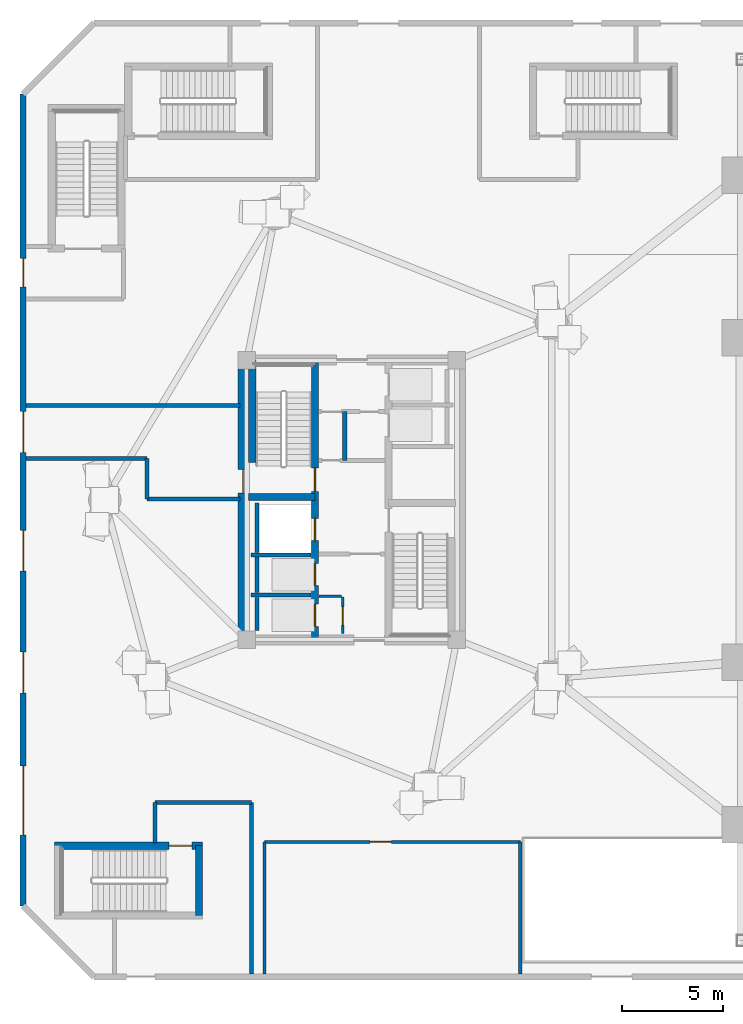
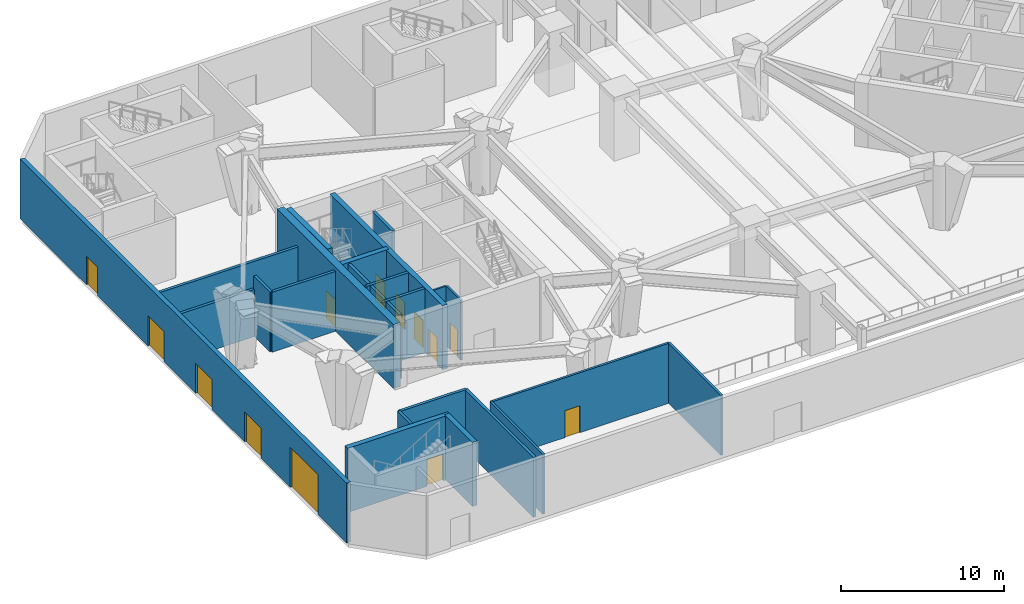
# One storey, part 5 of 17: 25 walls, 13 doors, 13 openings.
"""IFC4 building model written with IfcOpenShell, lengths in metres."""

from ifc_helpers import new_model, si_unit, direction, frame, frame_2d, origin, place, context, subcontext, project, spatial, rectangle, extrude, source, transform, mapped, material, layer, layer_set, type_object, element, fill, save


model = new_model("IFC4")

# Units and contexts
model_context = context("Model", 3, precision=1e-05, world=origin(), true_north=direction((0.0, 1.0)))
body_context = subcontext(model_context, "Body", "Model", "MODEL_VIEW")
ifc_project = project(units=[si_unit("LENGTHUNIT", "METRE"), si_unit("AREAUNIT", "SQUARE_METRE"), si_unit("VOLUMEUNIT", "CUBIC_METRE"), si_unit("PLANEANGLEUNIT", "RADIAN"), si_unit("MASSUNIT", "GRAM", prefix="KILO")], contexts=[model_context])

# Site, building, storey
site_placement = place(None, origin())
site = spatial("IfcSite", under=ifc_project, at=site_placement, CompositionType="ELEMENT")
building_placement = place(site_placement, origin())
building = spatial("IfcBuilding", under=site, at=building_placement, Name="Cununo Teusaquillo Station Towers", CompositionType="ELEMENT")
storey_placement = place(building_placement, origin())
storey = spatial("IfcBuildingStorey", under=building, at=storey_placement, Name="L00", CompositionType="ELEMENT", Elevation=0.0)

# Walls
ifc_material_1 = material(Name="Concrete C50/60", Category="concrete")
ifc_layer_1 = layer(ifc_material_1, 0.199951171875)
ifc_layer_set_1 = layer_set([ifc_layer_1], Name="Concrete C50/60")
wall_type_1 = type_object("IfcWallType", Name="WL-CORE-200", PredefinedType="SHEAR", material=ifc_layer_set_1)
wall_1_placement = place(storey_placement, frame((11.52001953125, 21.800048828125, 0.0), z_axis=(0.0, 0.0, 1.0), x_axis=(1.0, 0.0, 0.0)))
element("IfcWall", 1, at=wall_1_placement, inside=storey, type_object=wall_type_1, Name="L00 Tower A Firefighting Lift Shaft South Shear Wall", PredefinedType="SHEAR", context=body_context, shape_type="SweptSolid", body=[
    extrude(rectangle(XDim=2.969970703125, YDim=0.199951171875, at=frame_2d((1.48486328125, 0.0))), origin(), (0.0, 0.0, 1.0), 4.800048828125),
])
wall_2_placement = place(storey_placement, frame((11.820068359375, 21.919921875, 0.0), z_axis=(0.0, 0.0, 1.0), x_axis=(0.0, 1.0, 0.0)))
element("IfcWall", 2, at=wall_2_placement, inside=storey, type_object=wall_type_1, Name="L00 Tower A Firefighting Lift Shaft Rear Shear Wall", PredefinedType="SHEAR", context=body_context, shape_type="SweptSolid", body=[
    extrude(rectangle(XDim=2.440185546875, YDim=0.199951171875, at=frame_2d((1.22021484375, 0.0))), origin(), (0.0, 0.0, 1.0), 4.800048828125),
])
wall_3_placement = place(storey_placement, frame((11.52001953125, 19.824951171875, 0.0), z_axis=(0.0, 0.0, 1.0), x_axis=(1.0, 0.0, 0.0)))
element("IfcWall", 3, at=wall_3_placement, inside=storey, type_object=wall_type_1, Name="L00 Tower A High-Rise Lift Hoistway Divider Shear Wall", PredefinedType="SHEAR", context=body_context, shape_type="SweptSolid", body=[
    extrude(rectangle(XDim=2.969970703125, YDim=0.199951171875, at=frame_2d((1.48486328125, 0.0))), origin(), (0.0, 0.0, 1.0), 4.800048828125),
])
wall_4_placement = place(storey_placement, frame((11.820068359375, 19.945068359375, 0.0), z_axis=(0.0, 0.0, 1.0), x_axis=(0.0, 1.0, 0.0)))
element("IfcWall", 4, at=wall_4_placement, inside=storey, type_object=wall_type_1, Name="L00 Tower A High-Rise Lift 2 Shaft Rear Shear Wall", PredefinedType="SHEAR", context=body_context, shape_type="SweptSolid", body=[
    extrude(rectangle(XDim=1.73486328125, YDim=0.199951171875, at=frame_2d((0.867431640625, 0.0))), origin(), (0.0, 0.0, 1.0), 4.800048828125),
])
wall_5_placement = place(storey_placement, frame((11.820068359375, 18.070068359375, 0.0), z_axis=(0.0, 0.0, 1.0), x_axis=(0.0, 1.0, 0.0)))
element("IfcWall", 5, at=wall_5_placement, inside=storey, type_object=wall_type_1, Name="L00 Tower A High-Rise Lift 1 Shaft Rear Shear Wall", PredefinedType="SHEAR", context=body_context, shape_type="SweptSolid", body=[
    extrude(rectangle(XDim=1.635009765625, YDim=0.199951171875, at=frame_2d((0.8173828125, 0.0))), origin(), (0.0, 0.0, 1.0), 4.800048828125),
])

# Wall, opening, door
ifc_material_2 = material(Name="Concrete C50/60", Category="concrete")
ifc_layer_2 = layer(ifc_material_2, 0.35009765625)
ifc_layer_set_2 = layer_set([ifc_layer_2], Name="Concrete C50/60")
wall_type_2 = type_object("IfcWallType", Name="WL-CORE-350", PredefinedType="SHEAR", material=ifc_layer_set_2)
wall_6_placement = place(storey_placement, frame((1.860107421875, 7.465087890625, 0.0), z_axis=(0.0, 0.0, 1.0), x_axis=(1.0, 0.0, 0.0)))
wall_6 = element("IfcWall", 6, at=wall_6_placement, inside=storey, type_object=wall_type_2, Name="L00 Podium South Exit Stair Concrete Shaft Wall N", PredefinedType="SHEAR", context=body_context, shape_type="SweptSolid", body=[
    extrude(rectangle(XDim=7.27978515625, YDim=0.35009765625, at=frame_2d((3.639892578125, 0.0))), origin(), (0.0, 0.0, 1.0), 4.800048828125),
])
shared_shape_1 = source(origin(), body_context, "Body", "SweptSolid", [
    extrude(rectangle(XDim=1.14990234375, YDim=2.02001953125, at=frame_2d((0.574951171875, 1.010009765625))), frame((0.0, 0.18505859375, 0.0), z_axis=(0.0, -1.0, 0.0), x_axis=(1.0, 0.0, 0.0)), (0.0, 0.0, 1.0), 0.3701171875),
])
opening_1_placement = place(wall_6_placement, frame((5.6201171875, 0.0, 0.0)))
opening_1 = element("IfcOpeningElement", 7, at=opening_1_placement, cuts=wall_6, Name="Opening D-ST1", PredefinedType="OPENING", context=body_context, shape_type="MappedRepresentation", body=[
    mapped(shared_shape_1, transform((0.0, 0.0, 0.0), x_axis=(1.0, 0.0, 0.0), y_axis=(0.0, 1.0, 0.0), z_axis=(0.0, 0.0, 1.0), scale=1.0)),
])
ifc_material_3 = material(Name="Galvanised fire-rated hollow steel door assembly", Category="steel")
door_type_1 = type_object("IfcDoorType", Name="DR-STAIR-1150", OperationType="NOTDEFINED", PredefinedType="DOOR", material=ifc_material_3)
shared_shape_2 = source(origin(), body_context, "Body", "SweptSolid", [
    extrude(rectangle(XDim=1.14990234375, YDim=2.02001953125, at=frame_2d((0.574951171875, 1.010009765625))), frame((0.0, 0.02490234375, 0.0), z_axis=(0.0, -1.0, 0.0), x_axis=(1.0, 0.0, 0.0)), (0.0, 0.0, 1.0), 0.050048828125),
])
door_1_placement = place(opening_1_placement, origin())
door_1 = element("IfcDoor", 8, at=door_1_placement, inside=storey, type_object=door_type_1, Name="L00 South Podium Exit Stair Door", OperationType="SINGLE_SWING_RIGHT", OverallHeight=2.02001953125, OverallWidth=1.14990234375, PredefinedType="DOOR", context=body_context, shape_type="MappedRepresentation", body=[
    mapped(shared_shape_2, transform((0.0, 0.0, 0.0), x_axis=(1.0, 0.0, 0.0), y_axis=(0.0, 1.0, 0.0), z_axis=(0.0, 0.0, 1.0), scale=1.0)),
])
fill(opening_1, door_1)

# Wall
wall_7_placement = place(storey_placement, frame((8.965087890625, 4.034912109375, 0.0), z_axis=(0.0, 0.0, 1.0), x_axis=(0.0, 1.0, 0.0)))
element("IfcWall", 9, at=wall_7_placement, inside=storey, type_object=wall_type_2, Name="L00 Podium South Exit Stair Concrete Shaft Wall E", PredefinedType="SHEAR", context=body_context, shape_type="SweptSolid", body=[
    extrude(rectangle(XDim=3.43017578125, YDim=0.35009765625, at=frame_2d((1.715087890625, 0.0))), origin(), (0.0, 0.0, 1.0), 4.800048828125),
])

# Wall, openings, doors
wall_8_placement = place(storey_placement, frame((14.68505859375, 17.60009765625, 0.0), z_axis=(0.0, 0.0, 1.0), x_axis=(0.0, 1.0, 0.0)))
wall_8 = element("IfcWall", 10, at=wall_8_placement, inside=storey, type_object=wall_type_2, Name="L00 Tower A Core Shear Wall IW", PredefinedType="SHEAR", context=body_context, shape_type="SweptSolid", body=[
    extrude(rectangle(XDim=13.7998046875, YDim=0.35009765625, at=frame_2d((6.89990234375, 0.0))), origin(), (0.0, 0.0, 1.0), 4.800048828125),
])
shared_shape_3 = source(origin(), body_context, "Body", "SweptSolid", [
    extrude(rectangle(XDim=1.10009765625, YDim=2.014892578125, at=frame_2d((0.550048828125, 1.00732421875))), frame((0.0, 0.18505859375, 0.0), z_axis=(0.0, -1.0, 0.0), x_axis=(1.0, 0.0, 0.0)), (0.0, 0.0, 1.0), 0.3701171875),
])
opening_2_placement = place(wall_8_placement, frame((4.89990234375, 0.0, 0.0)))
opening_2 = element("IfcOpeningElement", 11, at=opening_2_placement, cuts=wall_8, Name="Opening LD-01", PredefinedType="OPENING", context=body_context, shape_type="MappedRepresentation", body=[
    mapped(shared_shape_3, transform((0.0, 0.0, 0.0), x_axis=(1.0, 0.0, 0.0), y_axis=(0.0, 1.0, 0.0), z_axis=(0.0, 0.0, 1.0), scale=1.0)),
])
opening_3_placement = place(wall_8_placement, frame((0.675048828125, 0.0, 0.0)))
opening_3 = element("IfcOpeningElement", 12, at=opening_3_placement, cuts=wall_8, Name="Opening LD-01", PredefinedType="OPENING", context=body_context, shape_type="MappedRepresentation", body=[
    mapped(shared_shape_3, transform((0.0, 0.0, 0.0), x_axis=(1.0, 0.0, 0.0), y_axis=(0.0, 1.0, 0.0), z_axis=(0.0, 0.0, 1.0), scale=1.0)),
])
opening_4_placement = place(wall_8_placement, frame((2.675048828125, 0.0, 0.0)))
opening_4 = element("IfcOpeningElement", 13, at=opening_4_placement, cuts=wall_8, Name="Opening LD-01", PredefinedType="OPENING", context=body_context, shape_type="MappedRepresentation", body=[
    mapped(shared_shape_3, transform((0.0, 0.0, 0.0), x_axis=(1.0, 0.0, 0.0), y_axis=(0.0, 1.0, 0.0), z_axis=(0.0, 0.0, 1.0), scale=1.0)),
])
opening_5_placement = place(wall_8_placement, frame((7.320068359375, 0.0, 0.0)))
opening_5 = element("IfcOpeningElement", 14, at=opening_5_placement, cuts=wall_8, Name="Opening D-ST1", PredefinedType="OPENING", context=body_context, shape_type="MappedRepresentation", body=[
    mapped(shared_shape_1, transform((0.0, 0.0, 0.0), x_axis=(1.0, 0.0, 0.0), y_axis=(0.0, 1.0, 0.0), z_axis=(0.0, 0.0, 1.0), scale=1.0)),
])
ifc_material_4 = material(Name="Galvanised fire-rated hollow steel door assembly", Category="steel")
door_type_2 = type_object("IfcDoorType", Name="DR-LIFT-1100", OperationType="SLIDING_TO_LEFT", PredefinedType="DOOR", material=ifc_material_4)
shared_shape_4 = source(origin(), body_context, "Body", "SweptSolid", [
    extrude(rectangle(XDim=1.10009765625, YDim=2.014892578125, at=frame_2d((0.550048828125, 1.00732421875))), frame((0.0, 0.02490234375, 0.0), z_axis=(0.0, -1.0, 0.0), x_axis=(1.0, 0.0, 0.0)), (0.0, 0.0, 1.0), 0.050048828125),
])
door_2_placement = place(opening_2_placement, origin())
door_2 = element("IfcDoor", 15, at=door_2_placement, inside=storey, type_object=door_type_2, Name="L00 Lift FL-T1 Sliding Landing Door", OperationType="SLIDING_TO_LEFT", OverallHeight=2.014892578125, OverallWidth=1.10009765625, PredefinedType="DOOR", context=body_context, shape_type="MappedRepresentation", body=[
    mapped(shared_shape_4, transform((0.0, 0.0, 0.0), x_axis=(1.0, 0.0, 0.0), y_axis=(0.0, 1.0, 0.0), z_axis=(0.0, 0.0, 1.0), scale=1.0)),
])
fill(opening_2, door_2)
door_3_placement = place(opening_3_placement, origin())
door_3 = element("IfcDoor", 16, at=door_3_placement, inside=storey, type_object=door_type_2, Name="L00 Lift PL-T1-H1 Sliding Landing Door", OperationType="SLIDING_TO_RIGHT", OverallHeight=2.014892578125, OverallWidth=1.10009765625, PredefinedType="DOOR", context=body_context, shape_type="MappedRepresentation", body=[
    mapped(shared_shape_4, transform((0.0, 0.0, 0.0), x_axis=(1.0, 0.0, 0.0), y_axis=(0.0, 1.0, 0.0), z_axis=(0.0, 0.0, 1.0), scale=1.0)),
])
fill(opening_3, door_3)
door_4_placement = place(opening_4_placement, origin())
door_4 = element("IfcDoor", 17, at=door_4_placement, inside=storey, type_object=door_type_2, Name="L00 Lift PL-T1-H2 Sliding Landing Door", OperationType="SLIDING_TO_LEFT", OverallHeight=2.014892578125, OverallWidth=1.10009765625, PredefinedType="DOOR", context=body_context, shape_type="MappedRepresentation", body=[
    mapped(shared_shape_4, transform((0.0, 0.0, 0.0), x_axis=(1.0, 0.0, 0.0), y_axis=(0.0, 1.0, 0.0), z_axis=(0.0, 0.0, 1.0), scale=1.0)),
])
fill(opening_4, door_4)
door_5_placement = place(opening_5_placement, origin())
door_5 = element("IfcDoor", 18, at=door_5_placement, inside=storey, type_object=door_type_1, Name="L00 Tower A Exit Stair 1 Fire Door", OperationType="SINGLE_SWING_LEFT", OverallHeight=2.02001953125, OverallWidth=1.14990234375, PredefinedType="DOOR", context=body_context, shape_type="MappedRepresentation", body=[
    mapped(shared_shape_2, transform((0.0, 0.0, 0.0), x_axis=(1.0, 0.0, 0.0), y_axis=(0.0, 1.0, 0.0), z_axis=(0.0, 0.0, 1.0), scale=1.0)),
])
fill(opening_5, door_5)

# Walls
wall_9_placement = place(storey_placement, frame((11.594970703125, 26.35009765625, 0.0), z_axis=(0.0, 0.0, 1.0), x_axis=(0.0, 1.0, 0.0)))
element("IfcWall", 19, at=wall_9_placement, inside=storey, type_object=wall_type_2, Name="L00 Tower A Core Shear Wall ST1W", PredefinedType="SHEAR", context=body_context, shape_type="SweptSolid", body=[
    extrude(rectangle(XDim=5.0498046875, YDim=0.35009765625, at=frame_2d((2.52490234375, 0.0))), origin(), (0.0, 0.0, 1.0), 4.800048828125),
])
wall_10_placement = place(storey_placement, frame((11.39990234375, 24.655029296875, 0.0), z_axis=(0.0, 0.0, 1.0), x_axis=(1.0, 0.0, 0.0)))
element("IfcWall", 20, at=wall_10_placement, inside=storey, type_object=wall_type_2, Name="L00 Tower A Core Shear Wall ST1S", PredefinedType="SHEAR", context=body_context, shape_type="SweptSolid", body=[
    extrude(rectangle(XDim=3.28515625, YDim=0.35009765625, at=frame_2d((1.642578125, 0.0))), origin(), (0.0, 0.0, 1.0), 4.800048828125),
])

# Wall, opening, door
ifc_material_5 = material(Name="Concrete C60/75", Category="concrete")
ifc_layer_3 = layer(ifc_material_5, 0.5)
ifc_layer_set_3 = layer_set([ifc_layer_3], Name="Concrete C60/75")
wall_type_3 = type_object("IfcWallType", Name="WL-CORE-500", PredefinedType="SHEAR", material=ifc_layer_set_3)
wall_11_placement = place(storey_placement, frame((11.14990234375, 17.35009765625, 0.0), z_axis=(0.0, 0.0, 1.0), x_axis=(0.0, 1.0, 0.0)))
wall_11 = element("IfcWall", 21, at=wall_11_placement, inside=storey, type_object=wall_type_3, Name="L00 Tower A Core Shear Wall W", PredefinedType="SHEAR", context=body_context, shape_type="SweptSolid", body=[
    extrude(rectangle(XDim=14.2998046875, YDim=0.5, at=frame_2d((7.14990234375, 0.0))), origin(), (0.0, 0.0, 1.0), 4.800048828125),
])
shared_shape_5 = source(origin(), body_context, "Body", "SweptSolid", [
    extrude(rectangle(XDim=1.14990234375, YDim=2.02001953125, at=frame_2d((0.574951171875, 1.010009765625))), frame((0.0, 0.260009765625, 0.0), z_axis=(0.0, -1.0, 0.0), x_axis=(1.0, 0.0, 0.0)), (0.0, 0.0, 1.0), 0.52001953125),
])
opening_6_placement = place(wall_11_placement, frame((7.5, 0.0, 0.0)))
opening_6 = element("IfcOpeningElement", 22, at=opening_6_placement, cuts=wall_11, Name="Opening D-ST1", PredefinedType="OPENING", context=body_context, shape_type="MappedRepresentation", body=[
    mapped(shared_shape_5, transform((0.0, 0.0, 0.0), x_axis=(1.0, 0.0, 0.0), y_axis=(0.0, 1.0, 0.0), z_axis=(0.0, 0.0, 1.0), scale=1.0)),
])
door_6_placement = place(opening_6_placement, origin())
door_6 = element("IfcDoor", 23, at=door_6_placement, inside=storey, type_object=door_type_1, Name="L00 Tower A Exit Stair 1 Street Discharge Fire Door", OperationType="SINGLE_SWING_RIGHT", OverallHeight=2.02001953125, OverallWidth=1.14990234375, PredefinedType="DOOR", context=body_context, shape_type="MappedRepresentation", body=[
    mapped(shared_shape_2, transform((0.0, 0.0, 0.0), x_axis=(1.0, 0.0, 0.0), y_axis=(0.0, 1.0, 0.0), z_axis=(0.0, 0.0, 1.0), scale=1.0)),
])
fill(opening_6, door_6)

# Wall, openings, doors
ifc_material_6 = material(Name="Precast concrete C40/50", Category="concrete")
ifc_layer_4 = layer(ifc_material_6, 0.300048828125)
ifc_layer_set_4 = layer_set([ifc_layer_4], Name="Precast concrete C40/50")
wall_type_4 = type_object("IfcWallType", Name="WL-EXT-300", PredefinedType="SOLIDWALL", material=ifc_layer_set_4)
wall_12_placement = place(storey_placement, frame((0.300048828125, 4.5, 0.0), z_axis=(0.0, 0.0, 1.0), x_axis=(0.0, 1.0, 0.0)))
wall_12 = element("IfcWall", 24, at=wall_12_placement, inside=storey, type_object=wall_type_4, Name="L00 Station Podium Facade Wall 1", PredefinedType="SOLIDWALL", context=body_context, shape_type="SweptSolid", body=[
    extrude(rectangle(XDim=40.0, YDim=0.300048828125, at=frame_2d((20.0, 0.0))), origin(), (0.0, 0.0, 1.0), 4.485107421875),
])
shared_shape_6 = source(origin(), body_context, "Body", "SweptSolid", [
    extrude(rectangle(XDim=1.39990234375, YDim=2.14990234375, at=frame_2d((0.699951171875, 1.074951171875))), frame((0.0, 0.159912109375, 0.0), z_axis=(0.0, -1.0, 0.0), x_axis=(1.0, 0.0, 0.0)), (0.0, 0.0, 1.0), 0.320068359375),
])
opening_7_placement = place(wall_12_placement, frame((30.5, 0.0, 0.0)))
opening_7 = element("IfcOpeningElement", 25, at=opening_7_placement, cuts=wall_12, Name="Opening ED-02", PredefinedType="OPENING", context=body_context, shape_type="MappedRepresentation", body=[
    mapped(shared_shape_6, transform((0.0, 0.0, 0.0), x_axis=(1.0, 0.0, 0.0), y_axis=(0.0, 1.0, 0.0), z_axis=(0.0, 0.0, 1.0), scale=1.0)),
])
shared_shape_7 = source(origin(), body_context, "Body", "SweptSolid", [
    extrude(rectangle(XDim=2.0, YDim=2.25, at=frame_2d((1.0, 1.125))), frame((0.0, 0.159912109375, 0.0), z_axis=(0.0, -1.0, 0.0), x_axis=(1.0, 0.0, 0.0)), (0.0, 0.0, 1.0), 0.320068359375),
])
opening_8_placement = place(wall_12_placement, frame((10.5, 0.0, 0.0)))
opening_8 = element("IfcOpeningElement", 26, at=opening_8_placement, cuts=wall_12, Name="Opening ED-01", PredefinedType="OPENING", context=body_context, shape_type="MappedRepresentation", body=[
    mapped(shared_shape_7, transform((0.0, 0.0, 0.0), x_axis=(1.0, 0.0, 0.0), y_axis=(0.0, 1.0, 0.0), z_axis=(0.0, 0.0, 1.0), scale=1.0)),
])
opening_9_placement = place(wall_12_placement, frame((22.35009765625, 0.0, 0.0)))
opening_9 = element("IfcOpeningElement", 27, at=opening_9_placement, cuts=wall_12, Name="Opening ED-01", PredefinedType="OPENING", context=body_context, shape_type="MappedRepresentation", body=[
    mapped(shared_shape_7, transform((0.0, 0.0, 0.0), x_axis=(1.0, 0.0, 0.0), y_axis=(0.0, 1.0, 0.0), z_axis=(0.0, 0.0, 1.0), scale=1.0)),
])
opening_10_placement = place(wall_12_placement, frame((16.5, 0.0, 0.0)))
opening_10 = element("IfcOpeningElement", 28, at=opening_10_placement, cuts=wall_12, Name="Opening ED-01", PredefinedType="OPENING", context=body_context, shape_type="MappedRepresentation", body=[
    mapped(shared_shape_7, transform((0.0, 0.0, 0.0), x_axis=(1.0, 0.0, 0.0), y_axis=(0.0, 1.0, 0.0), z_axis=(0.0, 0.0, 1.0), scale=1.0)),
])
shared_shape_8 = source(origin(), body_context, "Body", "SweptSolid", [
    extrude(rectangle(XDim=3.39990234375, YDim=3.0, at=frame_2d((1.699951171875, 1.5))), frame((0.0, 0.159912109375, 0.0), z_axis=(0.0, -1.0, 0.0), x_axis=(1.0, 0.0, 0.0)), (0.0, 0.0, 1.0), 0.320068359375),
])
opening_11_placement = place(wall_12_placement, frame((3.5, 0.0, 0.0)))
opening_11 = element("IfcOpeningElement", 29, at=opening_11_placement, cuts=wall_12, Name="Opening VG-02", PredefinedType="OPENING", context=body_context, shape_type="MappedRepresentation", body=[
    mapped(shared_shape_8, transform((0.0, 0.0, 0.0), x_axis=(1.0, 0.0, 0.0), y_axis=(0.0, 1.0, 0.0), z_axis=(0.0, 0.0, 1.0), scale=1.0)),
])
ifc_material_7 = material(Name="Galvanised fire-rated hollow steel door assembly", Category="steel")
door_type_3 = type_object("IfcDoorType", Name="DR-EXT-STAIR", OperationType="NOTDEFINED", PredefinedType="DOOR", material=ifc_material_7)
shared_shape_9 = source(origin(), body_context, "Body", "SweptSolid", [
    extrude(rectangle(XDim=1.39990234375, YDim=2.14990234375, at=frame_2d((0.699951171875, 1.074951171875))), frame((0.0, 0.02490234375, 0.0), z_axis=(0.0, -1.0, 0.0), x_axis=(1.0, 0.0, 0.0)), (0.0, 0.0, 1.0), 0.050048828125),
])
door_7_placement = place(opening_7_placement, origin())
door_7 = element("IfcDoor", 30, at=door_7_placement, inside=storey, type_object=door_type_3, Name="L00 West Protected Exit Passage Final Discharge Door", OperationType="SINGLE_SWING_RIGHT", OverallHeight=2.14990234375, OverallWidth=1.39990234375, PredefinedType="DOOR", context=body_context, shape_type="MappedRepresentation", body=[
    mapped(shared_shape_9, transform((0.0, 0.0, 0.0), x_axis=(1.0, 0.0, 0.0), y_axis=(0.0, 1.0, 0.0), z_axis=(0.0, 0.0, 1.0), scale=1.0)),
])
fill(opening_7, door_7)
ifc_material_8 = material(Name="Anodised dark bronze aluminium EN AW-6063-T6", Category="aluminium")
door_type_4 = type_object("IfcDoorType", Name="DR-EXT-EXIT", OperationType="DOUBLE_DOOR_SINGLE_SWING", PredefinedType="DOOR", material=ifc_material_8)
shared_shape_10 = source(origin(), body_context, "Body", "SweptSolid", [
    extrude(rectangle(XDim=2.0, YDim=2.25, at=frame_2d((1.0, 1.125))), frame((0.0, 0.02490234375, 0.0), z_axis=(0.0, -1.0, 0.0), x_axis=(1.0, 0.0, 0.0)), (0.0, 0.0, 1.0), 0.050048828125),
])
door_8_placement = place(opening_8_placement, origin())
door_8 = element("IfcDoor", 31, at=door_8_placement, inside=storey, type_object=door_type_4, Name="L00 Tower A West Arrival Exit Door 1", OperationType="DOUBLE_DOOR_SINGLE_SWING", OverallHeight=2.25, OverallWidth=2.0, PredefinedType="DOOR", context=body_context, shape_type="MappedRepresentation", body=[
    mapped(shared_shape_10, transform((0.0, 0.0, 0.0), x_axis=(1.0, 0.0, 0.0), y_axis=(0.0, 1.0, 0.0), z_axis=(0.0, 0.0, 1.0), scale=1.0)),
])
fill(opening_8, door_8)
door_9_placement = place(opening_9_placement, origin())
door_9 = element("IfcDoor", 32, at=door_9_placement, inside=storey, type_object=door_type_4, Name="L00 Tower A West Arrival Exit Door 2", OperationType="DOUBLE_DOOR_SINGLE_SWING", OverallHeight=2.25, OverallWidth=2.0, PredefinedType="DOOR", context=body_context, shape_type="MappedRepresentation", body=[
    mapped(shared_shape_10, transform((0.0, 0.0, 0.0), x_axis=(1.0, 0.0, 0.0), y_axis=(0.0, 1.0, 0.0), z_axis=(0.0, 0.0, 1.0), scale=1.0)),
])
fill(opening_9, door_9)
door_10_placement = place(opening_10_placement, origin())
door_10 = element("IfcDoor", 33, at=door_10_placement, inside=storey, type_object=door_type_4, Name="L00 Tower A West Arrival Exit Door 3", OperationType="DOUBLE_DOOR_SINGLE_SWING", OverallHeight=2.25, OverallWidth=2.0, PredefinedType="DOOR", context=body_context, shape_type="MappedRepresentation", body=[
    mapped(shared_shape_10, transform((0.0, 0.0, 0.0), x_axis=(1.0, 0.0, 0.0), y_axis=(0.0, 1.0, 0.0), z_axis=(0.0, 0.0, 1.0), scale=1.0)),
])
fill(opening_10, door_10)
ifc_material_9 = material(Name="Galvanised fire-rated hollow steel door assembly", Category="steel")
door_type_5 = type_object("IfcDoorType", Name="DR-GATE-LOAD", OperationType="ROLLINGUP", PredefinedType="GATE", material=ifc_material_9)
shared_shape_11 = source(origin(), body_context, "Body", "SweptSolid", [
    extrude(rectangle(XDim=3.39990234375, YDim=3.0, at=frame_2d((1.699951171875, 1.5))), frame((0.0, 0.02490234375, 0.0), z_axis=(0.0, -1.0, 0.0), x_axis=(1.0, 0.0, 0.0)), (0.0, 0.0, 1.0), 0.050048828125),
])
door_11_placement = place(opening_11_placement, origin())
door_11 = element("IfcDoor", 34, at=door_11_placement, inside=storey, type_object=door_type_5, Name="L00 West Utility Bay Roller Shutter Gate", OperationType="ROLLINGUP", OverallHeight=3.0, OverallWidth=3.39990234375, PredefinedType="GATE", context=body_context, shape_type="MappedRepresentation", body=[
    mapped(shared_shape_11, transform((0.0, 0.0, 0.0), x_axis=(1.0, 0.0, 0.0), y_axis=(0.0, 1.0, 0.0), z_axis=(0.0, 0.0, 1.0), scale=1.0)),
])
fill(opening_11, door_11)

# Wall, opening, door
ifc_material_10 = material(Name="Fire-rated gypsum plasterboard partition assembly", Category="gypsum")
ifc_layer_5 = layer(ifc_material_10, 0.125)
ifc_layer_set_5 = layer_set([ifc_layer_5], Name="Fire-rated gypsum plasterboard partition assembly")
wall_type_5 = type_object("IfcWallType", Name="WL-PART-125", PredefinedType="PARTITIONING", material=ifc_layer_set_5)
wall_13_placement = place(storey_placement, frame((16.050048828125, 17.919921875, 0.0), z_axis=(0.0, 0.0, 1.0), x_axis=(0.0, 1.0, 0.0)))
wall_13 = element("IfcWall", 35, at=wall_13_placement, inside=storey, type_object=wall_type_5, Name="L00 Tower A South-West Compact Store East Wall", PredefinedType="PARTITIONING", context=body_context, shape_type="SweptSolid", body=[
    extrude(rectangle(XDim=1.800048828125, YDim=0.125, at=frame_2d((0.89990234375, 0.0))), origin(), (0.0, 0.0, 1.0), 4.485107421875),
])
shared_shape_12 = source(origin(), body_context, "Body", "SweptSolid", [
    extrude(rectangle(XDim=0.89990234375, YDim=2.0048828125, at=frame_2d((0.449951171875, 1.00244140625))), frame((0.0, 0.072509765625, 0.0), z_axis=(0.0, -1.0, 0.0), x_axis=(1.0, 0.0, 0.0)), (0.0, 0.0, 1.0), 0.14501953125),
])
opening_12_placement = place(wall_13_placement, frame((0.419921875, 0.0, 0.0)))
opening_12 = element("IfcOpeningElement", 36, at=opening_12_placement, cuts=wall_13, Name="Opening D-SR1", PredefinedType="OPENING", context=body_context, shape_type="MappedRepresentation", body=[
    mapped(shared_shape_12, transform((0.0, 0.0, 0.0), x_axis=(1.0, 0.0, 0.0), y_axis=(0.0, 1.0, 0.0), z_axis=(0.0, 0.0, 1.0), scale=1.0)),
])
ifc_material_11 = material(Name="Galvanised fire-rated hollow steel door assembly", Category="steel")
door_type_6 = type_object("IfcDoorType", Name="DR-STORE-900", OperationType="NOTDEFINED", PredefinedType="DOOR", material=ifc_material_11)
shared_shape_13 = source(origin(), body_context, "Body", "SweptSolid", [
    extrude(rectangle(XDim=0.89990234375, YDim=2.0048828125, at=frame_2d((0.449951171875, 1.00244140625))), frame((0.0, 0.02490234375, 0.0), z_axis=(0.0, -1.0, 0.0), x_axis=(1.0, 0.0, 0.0)), (0.0, 0.0, 1.0), 0.050048828125),
])
door_12_placement = place(opening_12_placement, origin())
door_12 = element("IfcDoor", 37, at=door_12_placement, inside=storey, type_object=door_type_6, Name="L00 Tower A Core Electrical & Comms Store Door", OperationType="SINGLE_SWING_LEFT", OverallHeight=2.0048828125, OverallWidth=0.89990234375, PredefinedType="DOOR", context=body_context, shape_type="MappedRepresentation", body=[
    mapped(shared_shape_13, transform((0.0, 0.0, 0.0), x_axis=(1.0, 0.0, 0.0), y_axis=(0.0, 1.0, 0.0), z_axis=(0.0, 0.0, 1.0), scale=1.0)),
])
fill(opening_12, door_12)

# Walls
wall_14_placement = place(storey_placement, frame((14.8798828125, 19.75, 0.0), z_axis=(0.0, 0.0, 1.0), x_axis=(1.0, 0.0, 0.0)))
element("IfcWall", 38, at=wall_14_placement, inside=storey, type_object=wall_type_5, Name="L00 Tower A South-West Compact Store North Wall", PredefinedType="PARTITIONING", context=body_context, shape_type="SweptSolid", body=[
    extrude(rectangle(XDim=1.10009765625, YDim=0.125, at=frame_2d((0.550048828125, 0.0))), origin(), (0.0, 0.0, 1.0), 4.485107421875),
])
ifc_material_12 = material(Name="Fire-rated gypsum plasterboard partition assembly", Category="gypsum")
ifc_layer_6 = layer(ifc_material_12, 0.159912109375)
ifc_layer_set_6 = layer_set([ifc_layer_6], Name="Fire-rated gypsum plasterboard partition assembly")
wall_type_6 = type_object("IfcWallType", Name="WL-PART-160", PredefinedType="PARTITIONING", material=ifc_layer_set_6)
wall_15_placement = place(storey_placement, frame((12.199951171875, 1.14990234375, 0.0), z_axis=(0.0, 0.0, 1.0), x_axis=(0.0, 1.0, 0.0)))
element("IfcWall", 39, at=wall_15_placement, inside=storey, type_object=wall_type_6, Name="L00 Hotel Luggage West Wall", PredefinedType="PARTITIONING", context=body_context, shape_type="SweptSolid", body=[
    extrude(rectangle(XDim=6.5, YDim=0.159912109375, at=frame_2d((3.25, 0.0))), origin(), (0.0, 0.0, 1.0), 4.485107421875),
])

# Wall, opening, door
wall_16_placement = place(storey_placement, frame((12.199951171875, 7.64990234375, 0.0), z_axis=(0.0, 0.0, 1.0), x_axis=(1.0, 0.0, 0.0)))
wall_16 = element("IfcWall", 40, at=wall_16_placement, inside=storey, type_object=wall_type_6, Name="L00 Hotel Bell-Desk & Luggage Room Wall", PredefinedType="PARTITIONING", context=body_context, shape_type="SweptSolid", body=[
    extrude(rectangle(XDim=12.60009765625, YDim=0.159912109375, at=frame_2d((6.300048828125, 0.0))), origin(), (0.0, 0.0, 1.0), 4.485107421875),
])
shared_shape_14 = source(origin(), body_context, "Body", "SweptSolid", [
    extrude(rectangle(XDim=1.050048828125, YDim=2.014892578125, at=frame_2d((0.52490234375, 1.00732421875))), frame((0.0, 0.08984375, 0.0), z_axis=(0.0, -1.0, 0.0), x_axis=(1.0, 0.0, 0.0)), (0.0, 0.0, 1.0), 0.179931640625),
])
opening_13_placement = place(wall_16_placement, frame((5.199951171875, 0.0, 0.0)))
opening_13 = element("IfcOpeningElement", 41, at=opening_13_placement, cuts=wall_16, Name="Opening D-SU1", PredefinedType="OPENING", context=body_context, shape_type="MappedRepresentation", body=[
    mapped(shared_shape_14, transform((0.0, 0.0, 0.0), x_axis=(1.0, 0.0, 0.0), y_axis=(0.0, 1.0, 0.0), z_axis=(0.0, 0.0, 1.0), scale=1.0)),
])
ifc_material_13 = material(Name="Acoustic solid-core hardwood leaf assembly", Category="wood")
door_type_7 = type_object("IfcDoorType", Name="DR-SUITE-1050", OperationType="NOTDEFINED", PredefinedType="DOOR", material=ifc_material_13)
shared_shape_15 = source(origin(), body_context, "Body", "SweptSolid", [
    extrude(rectangle(XDim=1.050048828125, YDim=2.014892578125, at=frame_2d((0.52490234375, 1.00732421875))), frame((0.0, 0.02490234375, 0.0), z_axis=(0.0, -1.0, 0.0), x_axis=(1.0, 0.0, 0.0)), (0.0, 0.0, 1.0), 0.050048828125),
])
door_13_placement = place(opening_13_placement, origin())
door_13 = element("IfcDoor", 42, at=door_13_placement, inside=storey, type_object=door_type_7, Name="Hotel Reception & Luggage Concierge Door", OperationType="SINGLE_SWING_RIGHT", OverallHeight=2.014892578125, OverallWidth=1.050048828125, PredefinedType="DOOR", context=body_context, shape_type="MappedRepresentation", body=[
    mapped(shared_shape_15, transform((0.0, 0.0, 0.0), x_axis=(1.0, 0.0, 0.0), y_axis=(0.0, 1.0, 0.0), z_axis=(0.0, 0.0, 1.0), scale=1.0)),
])
fill(opening_13, door_13)

# Walls
wall_17_placement = place(storey_placement, frame((24.800048828125, 1.14990234375, 0.0), z_axis=(0.0, 0.0, 1.0), x_axis=(0.0, 1.0, 0.0)))
element("IfcWall", 43, at=wall_17_placement, inside=storey, type_object=wall_type_6, Name="L00 Hotel Luggage East Wall", PredefinedType="PARTITIONING", context=body_context, shape_type="SweptSolid", body=[
    extrude(rectangle(XDim=6.5, YDim=0.159912109375, at=frame_2d((3.25, 0.0))), origin(), (0.0, 0.0, 1.0), 4.485107421875),
])
ifc_material_14 = material(Name="Fire-rated gypsum plasterboard partition assembly", Category="gypsum")
ifc_layer_7 = layer(ifc_material_14, 0.199951171875)
ifc_layer_set_7 = layer_set([ifc_layer_7], Name="Fire-rated gypsum plasterboard partition assembly")
wall_type_7 = type_object("IfcWallType", Name="WL-PART-200", PredefinedType="PARTITIONING", material=ifc_layer_set_7)
wall_18_placement = place(storey_placement, frame((16.14990234375, 26.449951171875, 0.0), z_axis=(0.0, 0.0, 1.0), x_axis=(0.0, 1.0, 0.0)))
element("IfcWall", 44, at=wall_18_placement, inside=storey, type_object=wall_type_7, Name="L00 Tower A Stair 1 Vestibule Partition Wall", PredefinedType="PARTITIONING", context=body_context, shape_type="SweptSolid", body=[
    extrude(rectangle(XDim=2.400146484375, YDim=0.199951171875, at=frame_2d((1.2001953125, 0.0))), origin(), (0.0, 0.0, 1.0), 4.485107421875),
])
wall_19_placement = place(storey_placement, frame((6.800048828125, 9.60009765625, 0.0), z_axis=(0.0, 0.0, 1.0), x_axis=(1.0, 0.0, 0.0)))
element("IfcWall", 45, at=wall_19_placement, inside=storey, type_object=wall_type_7, Name="L00 South Exit Passageway North Fire Wall", PredefinedType="PARTITIONING", context=body_context, shape_type="SweptSolid", body=[
    extrude(rectangle(XDim=4.75, YDim=0.199951171875, at=frame_2d((2.375, 0.0))), origin(), (0.0, 0.0, 1.0), 4.485107421875),
])
wall_20_placement = place(storey_placement, frame((6.800048828125, 7.60009765625, 0.0), z_axis=(0.0, 0.0, 1.0), x_axis=(0.0, 1.0, 0.0)))
element("IfcWall", 46, at=wall_20_placement, inside=storey, type_object=wall_type_7, Name="L00 South Exit Passageway Upper Return Wall", PredefinedType="PARTITIONING", context=body_context, shape_type="SweptSolid", body=[
    extrude(rectangle(XDim=2.0, YDim=0.199951171875, at=frame_2d((1.0, 0.0))), origin(), (0.0, 0.0, 1.0), 4.485107421875),
])
wall_21_placement = place(storey_placement, frame((11.550048828125, 1.14990234375, 0.0), z_axis=(0.0, 0.0, 1.0), x_axis=(0.0, 1.0, 0.0)))
element("IfcWall", 47, at=wall_21_placement, inside=storey, type_object=wall_type_7, Name="L00 South Exit Passageway East Fire Wall", PredefinedType="PARTITIONING", context=body_context, shape_type="SweptSolid", body=[
    extrude(rectangle(XDim=8.4501953125, YDim=0.199951171875, at=frame_2d((4.22509765625, 0.0))), origin(), (0.0, 0.0, 1.0), 4.485107421875),
])
wall_22_placement = place(storey_placement, frame((0.449951171875, 29.14990234375, 0.0), z_axis=(0.0, 0.0, 1.0), x_axis=(1.0, 0.0, 0.0)))
element("IfcWall", 48, at=wall_22_placement, inside=storey, type_object=wall_type_7, Name="L00 Tower A West Exit Passageway North Fire Wall", PredefinedType="PARTITIONING", context=body_context, shape_type="SweptSolid", body=[
    extrude(rectangle(XDim=10.550048828125, YDim=0.199951171875, at=frame_2d((5.27490234375, 0.0))), origin(), (0.0, 0.0, 1.0), 3.529052734375),
])
wall_23_placement = place(storey_placement, frame((0.449951171875, 26.550048828125, 0.0), z_axis=(0.0, 0.0, 1.0), x_axis=(1.0, 0.0, 0.0)))
element("IfcWall", 49, at=wall_23_placement, inside=storey, type_object=wall_type_7, Name="L00 Tower A West Exit Passageway Outer South Fire Wall", PredefinedType="PARTITIONING", context=body_context, shape_type="SweptSolid", body=[
    extrude(rectangle(XDim=5.949951171875, YDim=0.199951171875, at=frame_2d((2.97509765625, 0.0))), origin(), (0.0, 0.0, 1.0), 3.529052734375),
])
wall_24_placement = place(storey_placement, frame((6.39990234375, 24.550048828125, 0.0), z_axis=(0.0, 0.0, 1.0), x_axis=(0.0, 1.0, 0.0)))
element("IfcWall", 50, at=wall_24_placement, inside=storey, type_object=wall_type_7, Name="L00 Tower A West Exit Passageway Step Fire Wall", PredefinedType="PARTITIONING", context=body_context, shape_type="SweptSolid", body=[
    extrude(rectangle(XDim=2.0, YDim=0.199951171875, at=frame_2d((1.0, 0.0))), origin(), (0.0, 0.0, 1.0), 4.485107421875),
])
wall_25_placement = place(storey_placement, frame((6.39990234375, 24.550048828125, 0.0), z_axis=(0.0, 0.0, 1.0), x_axis=(1.0, 0.0, 0.0)))
element("IfcWall", 51, at=wall_25_placement, inside=storey, type_object=wall_type_7, Name="L00 Tower A West Exit Passageway Inner South Fire Wall", PredefinedType="PARTITIONING", context=body_context, shape_type="SweptSolid", body=[
    extrude(rectangle(XDim=4.60009765625, YDim=0.199951171875, at=frame_2d((2.300048828125, 0.0))), origin(), (0.0, 0.0, 1.0), 4.485107421875),
])

save(model, "model.ifc")
